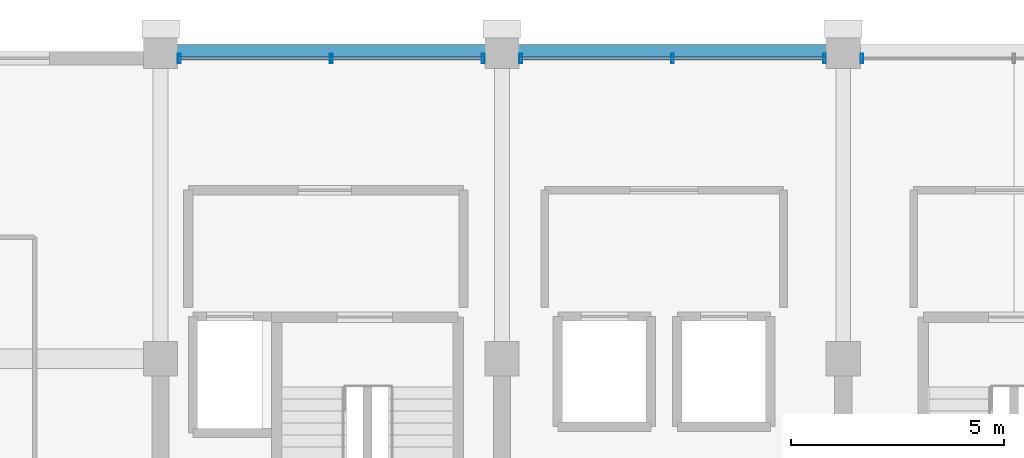
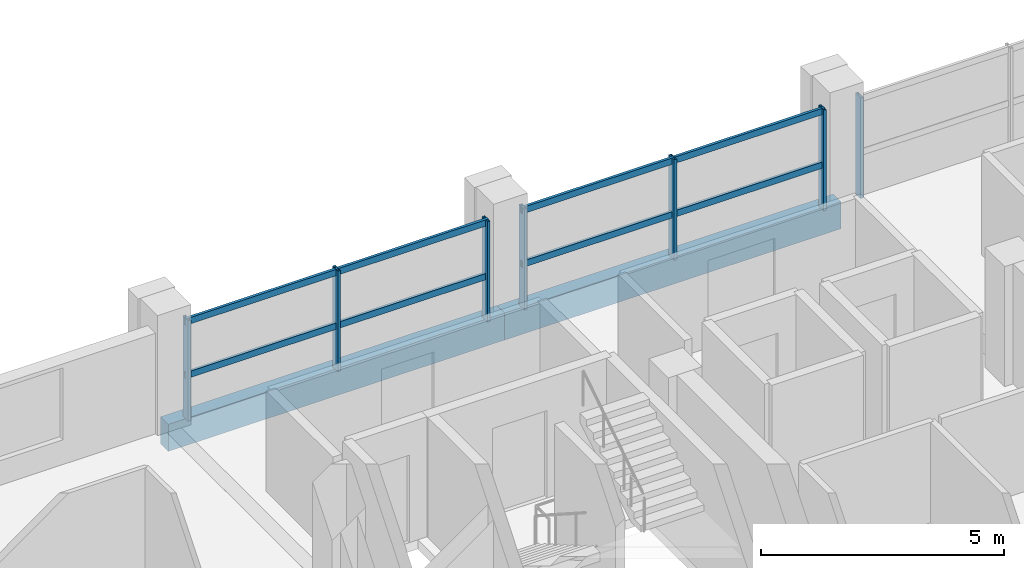
# One storey, part 13 of 23: 11 members, 2 beams, 3 elements without a shape of their own.
"""IFC4 building model written with IfcOpenShell, lengths in metres."""

from ifc_helpers import new_model, si_unit, direction, frame, origin, origin_2d, place, context, subcontext, project, spatial, rectangle, hollow_rectangle, extrude, material, material_profile, profile_set, type_object, element, aggregate, save


model = new_model("IFC4")

# Units and contexts
model_context = context("Model", 3, precision=1e-05, world=origin(), true_north=direction((0.0, 1.0)))
body_context = subcontext(model_context, "Body", "Model", "MODEL_VIEW")
ifc_project = project(units=[si_unit("LENGTHUNIT", "METRE"), si_unit("AREAUNIT", "SQUARE_METRE"), si_unit("VOLUMEUNIT", "CUBIC_METRE"), si_unit("PLANEANGLEUNIT", "RADIAN"), si_unit("MASSUNIT", "GRAM", prefix="KILO")], contexts=[model_context])

# Site, building, storey
site_placement = place(None, origin())
site = spatial("IfcSite", under=ifc_project, at=site_placement, CompositionType="ELEMENT")
building_placement = place(site_placement, origin())
building = spatial("IfcBuilding", under=site, at=building_placement, Name="Akrevak Sports Hall", CompositionType="ELEMENT")
storey_placement = place(building_placement, frame((0.0, 0.0, 47.050048828125)))
storey = spatial("IfcBuildingStorey", under=building, at=storey_placement, Name="L11", CompositionType="ELEMENT", Elevation=47.050048828125)

# Curtain wall, member
ifc_material_1 = material(Name="Anodized Bronze Aluminium & Low-E Glass", Category="aluminium")
curtain_wall_type = type_object("IfcCurtainWallType", Name="ARC-CW-TWR-56x30", PredefinedType="NOTDEFINED", material=ifc_material_1)
curtain_wall_1_placement = place(storey_placement, origin())
curtain_wall_1 = element("IfcCurtainWall", 1, at=curtain_wall_1_placement, inside=storey, type_object=curtain_wall_type, Name="Curtain Wall CW-L11-N22", PredefinedType="NOTDEFINED")
ifc_material_2 = material(Name="Anodized Bronze Aluminium", Category="aluminium")
ifc_material_profile_1 = material_profile(ifc_material_2, hollow_rectangle(XDim=0.06494140625, YDim=0.219970703125, WallThickness=0.00439453125, at=origin_2d()), Name="CWM 65x220", Category="aluminium")
ifc_profile_set_1 = profile_set([ifc_material_profile_1], Name="Anodized Bronze Aluminium")
member_type_1 = type_object("IfcMemberType", Name="ARC-CWM-70x160", PredefinedType="MULLION", material=ifc_profile_set_1)
member_1_placement = place(storey_placement, frame((76.43994140625, 69.43994140625, 0.0), z_axis=(0.0, 0.0, 1.0), x_axis=(-1.0, 0.0, 0.0)))
member_1 = element("IfcMember", 2, at=member_1_placement, type_object=member_type_1, Name="Curtain Wall Mullion CW-L11-N22-M3", PredefinedType="MULLION", context=body_context, shape_type="SweptSolid", body=[
    extrude(hollow_rectangle(XDim=0.06494140625, YDim=0.219970703125, WallThickness=0.00439453125, at=origin_2d()), origin(), (0.0, 0.0, 1.0), 2.530029296875),
])
aggregate(curtain_wall_1, [member_1])

# Curtain wall, members
curtain_wall_2_placement = place(storey_placement, origin())
curtain_wall_2 = element("IfcCurtainWall", 3, at=curtain_wall_2_placement, inside=storey, type_object=curtain_wall_type, Name="Curtain Wall CW-L11-N23", PredefinedType="NOTDEFINED")
member_2_placement = place(storey_placement, frame((75.56005859375, 69.43994140625, 0.0), z_axis=(0.0, 0.0, 1.0), x_axis=(-1.0, 0.0, 0.0)))
member_2 = element("IfcMember", 4, at=member_2_placement, type_object=member_type_1, Name="Curtain Wall Mullion CW-L11-N23-M1", PredefinedType="MULLION", context=body_context, shape_type="SweptSolid", body=[
    extrude(hollow_rectangle(XDim=0.06494140625, YDim=0.219970703125, WallThickness=0.00439453125, at=origin_2d()), origin(), (0.0, 0.0, 1.0), 2.530029296875),
])
member_3_placement = place(storey_placement, frame((72.0, 69.43994140625, 0.0), z_axis=(0.0, 0.0, 1.0), x_axis=(-1.0, 0.0, 0.0)))
member_3 = element("IfcMember", 5, at=member_3_placement, type_object=member_type_1, Name="Curtain Wall Mullion CW-L11-N23-M2", PredefinedType="MULLION", context=body_context, shape_type="SweptSolid", body=[
    extrude(hollow_rectangle(XDim=0.06494140625, YDim=0.219970703125, WallThickness=0.00439453125, at=origin_2d()), origin(), (0.0, 0.0, 1.0), 2.530029296875),
])
member_4_placement = place(storey_placement, frame((68.43994140625, 69.43994140625, 0.0), z_axis=(0.0, 0.0, 1.0), x_axis=(-1.0, 0.0, 0.0)))
member_4 = element("IfcMember", 6, at=member_4_placement, type_object=member_type_1, Name="Curtain Wall Mullion CW-L11-N23-M3", PredefinedType="MULLION", context=body_context, shape_type="SweptSolid", body=[
    extrude(hollow_rectangle(XDim=0.06494140625, YDim=0.219970703125, WallThickness=0.00439453125, at=origin_2d()), origin(), (0.0, 0.0, 1.0), 2.530029296875),
])

curtain_wall_3_placement = place(storey_placement, origin())
curtain_wall_3 = element("IfcCurtainWall", 7, at=curtain_wall_3_placement, inside=storey, type_object=curtain_wall_type, Name="Curtain Wall CW-L11-N24", PredefinedType="NOTDEFINED")
member_5_placement = place(storey_placement, frame((67.56005859375, 69.43994140625, 0.0), z_axis=(0.0, 0.0, 1.0), x_axis=(-1.0, 0.0, 0.0)))
member_5 = element("IfcMember", 8, at=member_5_placement, type_object=member_type_1, Name="Curtain Wall Mullion CW-L11-N24-M1", PredefinedType="MULLION", context=body_context, shape_type="SweptSolid", body=[
    extrude(hollow_rectangle(XDim=0.06494140625, YDim=0.219970703125, WallThickness=0.00439453125, at=origin_2d()), origin(), (0.0, 0.0, 1.0), 2.530029296875),
])
member_6_placement = place(storey_placement, frame((64.0, 69.43994140625, 0.0), z_axis=(0.0, 0.0, 1.0), x_axis=(-1.0, 0.0, 0.0)))
member_6 = element("IfcMember", 9, at=member_6_placement, type_object=member_type_1, Name="Curtain Wall Mullion CW-L11-N24-M2", PredefinedType="MULLION", context=body_context, shape_type="SweptSolid", body=[
    extrude(hollow_rectangle(XDim=0.06494140625, YDim=0.219970703125, WallThickness=0.00439453125, at=origin_2d()), origin(), (0.0, 0.0, 1.0), 2.530029296875),
])
member_7_placement = place(storey_placement, frame((60.43994140625, 69.43994140625, 0.0), z_axis=(0.0, 0.0, 1.0), x_axis=(-1.0, 0.0, 0.0)))
member_7 = element("IfcMember", 10, at=member_7_placement, type_object=member_type_1, Name="Curtain Wall Mullion CW-L11-N24-M3", PredefinedType="MULLION", context=body_context, shape_type="SweptSolid", body=[
    extrude(hollow_rectangle(XDim=0.06494140625, YDim=0.219970703125, WallThickness=0.00439453125, at=origin_2d()), origin(), (0.0, 0.0, 1.0), 2.530029296875),
])

# Member
ifc_material_profile_2 = material_profile(ifc_material_2, hollow_rectangle(XDim=0.06494140625, YDim=0.159912109375, WallThickness=0.00390625, at=origin_2d()), Name="CWT 65x160", Category="aluminium")
ifc_profile_set_2 = profile_set([ifc_material_profile_2], Name="Anodized Bronze Aluminium")
member_type_2 = type_object("IfcMemberType", Name="ARC-CWT-70x130", PredefinedType="USERDEFINED", material=ifc_profile_set_2)
member_8_placement = place(storey_placement, frame((75.60009765625, 69.43994140625, 1.099853515625), z_axis=(-1.0, 0.0, 0.0), x_axis=(0.0, -1.0, 0.0)))
member_8 = element("IfcMember", 11, at=member_8_placement, type_object=member_type_2, Name="Curtain Wall Transom CW-L11-N23-T1", ObjectType="TRANSOM", PredefinedType="USERDEFINED", context=body_context, shape_type="SweptSolid", body=[
    extrude(hollow_rectangle(XDim=0.06494140625, YDim=0.159912109375, WallThickness=0.00390625, at=origin_2d()), origin(), (0.0, 0.0, 1.0), 7.2001953125),
])

member_9_placement = place(storey_placement, frame((75.60009765625, 69.43994140625, 2.449951171875), z_axis=(-1.0, 0.0, 0.0), x_axis=(0.0, -1.0, 0.0)))
member_9 = element("IfcMember", 12, at=member_9_placement, type_object=member_type_2, Name="Curtain Wall Transom CW-L11-N23-T2", ObjectType="TRANSOM", PredefinedType="USERDEFINED", context=body_context, shape_type="SweptSolid", body=[
    extrude(hollow_rectangle(XDim=0.06494140625, YDim=0.159912109375, WallThickness=0.00390625, at=origin_2d()), origin(), (0.0, 0.0, 1.0), 7.2001953125),
])

aggregate(curtain_wall_2, [member_2, member_3, member_4, member_8, member_9])

member_10_placement = place(storey_placement, frame((67.60009765625, 69.43994140625, 1.099853515625), z_axis=(-1.0, 0.0, 0.0), x_axis=(0.0, -1.0, 0.0)))
member_10 = element("IfcMember", 13, at=member_10_placement, type_object=member_type_2, Name="Curtain Wall Transom CW-L11-N24-T1", ObjectType="TRANSOM", PredefinedType="USERDEFINED", context=body_context, shape_type="SweptSolid", body=[
    extrude(hollow_rectangle(XDim=0.06494140625, YDim=0.159912109375, WallThickness=0.00390625, at=origin_2d()), origin(), (0.0, 0.0, 1.0), 7.2001953125),
])

member_11_placement = place(storey_placement, frame((67.60009765625, 69.43994140625, 2.449951171875), z_axis=(-1.0, 0.0, 0.0), x_axis=(0.0, -1.0, 0.0)))
member_11 = element("IfcMember", 14, at=member_11_placement, type_object=member_type_2, Name="Curtain Wall Transom CW-L11-N24-T2", ObjectType="TRANSOM", PredefinedType="USERDEFINED", context=body_context, shape_type="SweptSolid", body=[
    extrude(hollow_rectangle(XDim=0.06494140625, YDim=0.159912109375, WallThickness=0.00390625, at=origin_2d()), origin(), (0.0, 0.0, 1.0), 7.2001953125),
])

aggregate(curtain_wall_3, [member_5, member_6, member_7, member_10, member_11])

# Beams
ifc_material_3 = material(Name="Concrete C40/50", Category="concrete")
ifc_material_profile_3 = material_profile(ifc_material_3, rectangle(XDim=0.320068359375, YDim=0.679931640625, at=origin_2d()), Name="SPD 320x680", Category="concrete")
ifc_profile_set_3 = profile_set([ifc_material_profile_3], Name="Concrete C40/50")
beam_type = type_object("IfcBeamType", Name="STR-SPD-RC320x680", PredefinedType="SPANDREL", material=ifc_profile_set_3)
for number, where, z_axis, x_axis, name in (
    (15, (60.0, 69.60009765625, -0.340087890625), (1.0, 0.0, 0.0), (0.0, 1.0, 0.0), "Girder K/9-10 (L11)"),
    (16, (68.0, 69.60009765625, -0.340087890625), (1.0, 0.0, 0.0), (0.0, 1.0, 0.0), "Girder K/10-11 (L11)"),
):
    element("IfcBeam", number, at=place(storey_placement, frame(where, z_axis=z_axis, x_axis=x_axis)), inside=storey, type_object=beam_type, Name=name, PredefinedType="SPANDREL", context=body_context, shape_type="SweptSolid", body=[
        extrude(rectangle(XDim=0.320068359375, YDim=0.679931640625, at=origin_2d()), origin(), (0.0, 0.0, 1.0), 8.0),
    ])

save(model, "model.ifc")
